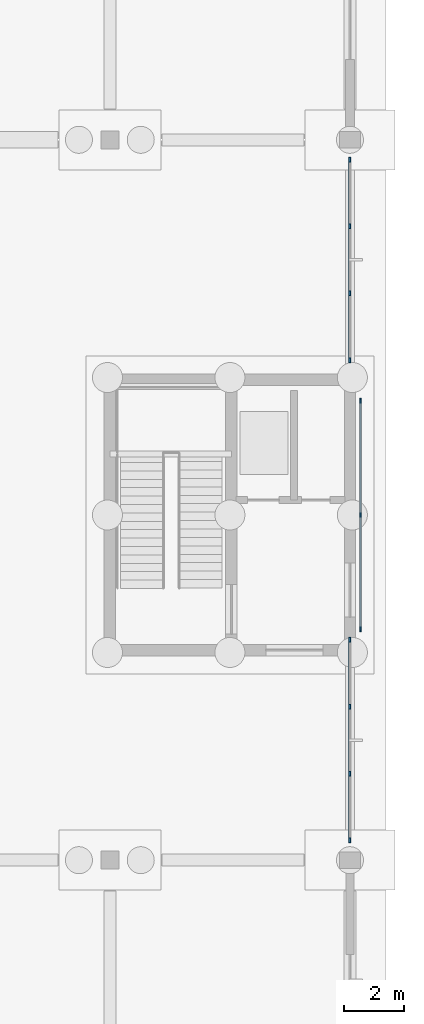
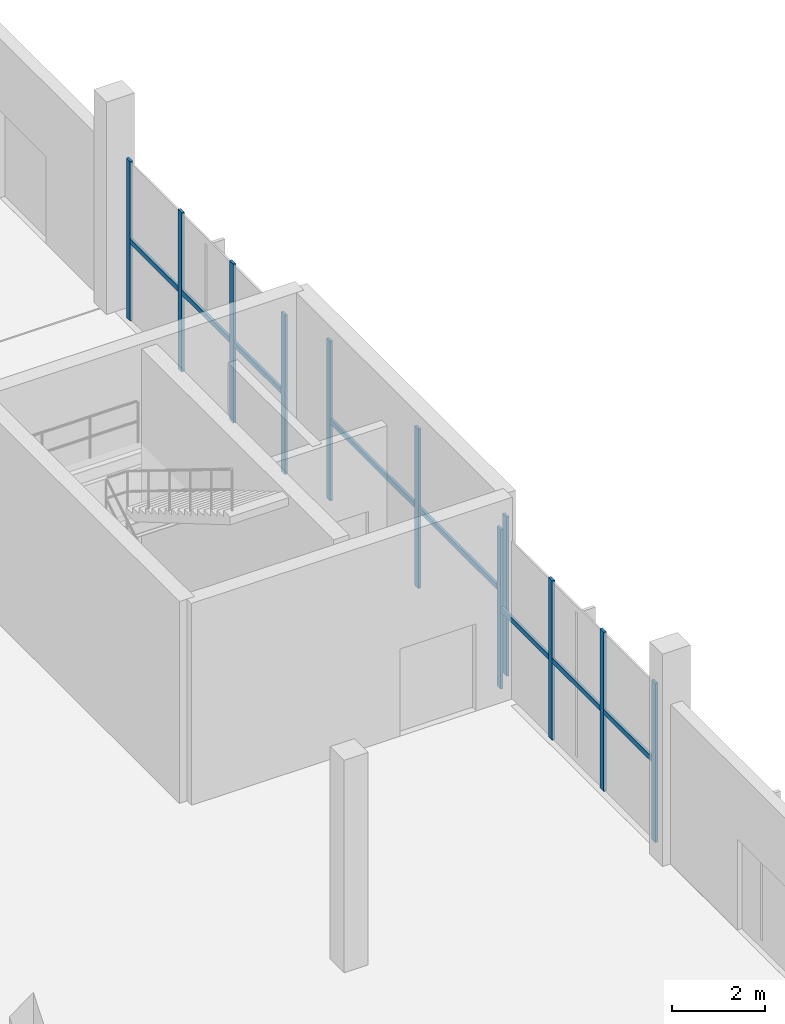
# One storey, part 52 of 98: 14 members, 3 elements without a shape of their own.
"""IFC4 building model written with IfcOpenShell, lengths in metres."""

from ifc_helpers import new_model, si_unit, derived_unit, direction, frame, origin, origin_2d, place, context, subcontext, project, spatial, rectangle, extrude, material, layer, layer_set, material_profile, profile_set, type_object, element, aggregate, save


model = new_model("IFC4")

# Units and contexts
model_context = context("Model", 3, precision=1e-05, world=origin(), true_north=direction((0.0, 1.0)))
body_context = subcontext(model_context, "Body", "Model", "MODEL_VIEW")
ifc_project = project(units=[si_unit("LENGTHUNIT", "METRE"), si_unit("AREAUNIT", "SQUARE_METRE"), si_unit("VOLUMEUNIT", "CUBIC_METRE"), si_unit("PLANEANGLEUNIT", "RADIAN"), si_unit("MASSUNIT", "GRAM", prefix="KILO"), si_unit("THERMODYNAMICTEMPERATUREUNIT", "KELVIN"), derived_unit("THERMALTRANSMITTANCEUNIT", [(si_unit("POWERUNIT", "WATT"), 1), (si_unit("AREAUNIT", "SQUARE_METRE"), -1), (si_unit("THERMODYNAMICTEMPERATUREUNIT", "KELVIN"), -1)])], contexts=[model_context])

# Site, building, storey
site_placement = place(None, origin())
site = spatial("IfcSite", under=ifc_project, at=site_placement, CompositionType="ELEMENT")
building_placement = place(site_placement, origin())
building = spatial("IfcBuilding", under=site, at=building_placement, Name="Haiyu Intermodal Mobility Hub", CompositionType="ELEMENT")
storey_placement = place(building_placement, origin())
storey = spatial("IfcBuildingStorey", under=building, at=storey_placement, Name="L00", CompositionType="ELEMENT", Elevation=0.0)

# Curtain wall, members
ifc_material_1 = material(Name="Low-e laminated insulating glass", Category="glass")
ifc_layer = layer(ifc_material_1, 0.2099609375)
ifc_layer_set = layer_set([ifc_layer], Name="Low-e laminated insulating glass")
curtain_wall_type = type_object("IfcCurtainWallType", Name="CW-CW04", PredefinedType="NOTDEFINED", material=ifc_layer_set)
curtain_wall_1_placement = place(storey_placement, origin())
curtain_wall_1 = element("IfcCurtainWall", 1, at=curtain_wall_1_placement, inside=storey, type_object=curtain_wall_type, Name="Curtain Wall CW-V5E-L00-091", PredefinedType="NOTDEFINED")
ifc_material_2 = material(Name="Anodised aluminium 6063-T6", Category="aluminium")
ifc_material_profile_1 = material_profile(ifc_material_2, rectangle(XDim=0.06494140625, YDim=0.1650390625, at=origin_2d()), Name="ALU65x165")
ifc_profile_set_1 = profile_set([ifc_material_profile_1], Name="Anodised aluminium 6063-T6")
member_type_1 = type_object("IfcMemberType", Name="CWM-ML02", PredefinedType="MULLION", material=ifc_profile_set_1)
member_1_placement = place(storey_placement, frame((210.0, 56.659912109375, 0.0), z_axis=(0.0, 0.0, 1.0), x_axis=(1.0, 0.0, 0.0)))
member_1 = element("IfcMember", 2, at=member_1_placement, type_object=member_type_1, Name="CW-V5E-L00-091-ML01", PredefinedType="MULLION", context=body_context, shape_type="SweptSolid", body=[
    extrude(rectangle(XDim=0.06494140625, YDim=0.1650390625, at=origin_2d()), origin(), (0.0, 0.0, 1.0), 4.199951171875),
])
member_2_placement = place(storey_placement, frame((210.0, 58.886962890625, 0.0), z_axis=(0.0, 0.0, 1.0), x_axis=(1.0, 0.0, 0.0)))
member_2 = element("IfcMember", 3, at=member_2_placement, type_object=member_type_1, Name="CW-V5E-L00-091-ML02", PredefinedType="MULLION", context=body_context, shape_type="SweptSolid", body=[
    extrude(rectangle(XDim=0.06494140625, YDim=0.1650390625, at=origin_2d()), origin(), (0.0, 0.0, 1.0), 4.199951171875),
])
member_3_placement = place(storey_placement, frame((210.0, 61.113037109375, 0.0), z_axis=(0.0, 0.0, 1.0), x_axis=(1.0, 0.0, 0.0)))
member_3 = element("IfcMember", 4, at=member_3_placement, type_object=member_type_1, Name="CW-V5E-L00-091-ML03", PredefinedType="MULLION", context=body_context, shape_type="SweptSolid", body=[
    extrude(rectangle(XDim=0.06494140625, YDim=0.1650390625, at=origin_2d()), origin(), (0.0, 0.0, 1.0), 4.199951171875),
])
member_4_placement = place(storey_placement, frame((210.0, 63.340087890625, 0.0), z_axis=(0.0, 0.0, 1.0), x_axis=(1.0, 0.0, 0.0)))
member_4 = element("IfcMember", 5, at=member_4_placement, type_object=member_type_1, Name="CW-V5E-L00-091-ML04", PredefinedType="MULLION", context=body_context, shape_type="SweptSolid", body=[
    extrude(rectangle(XDim=0.06494140625, YDim=0.1650390625, at=origin_2d()), origin(), (0.0, 0.0, 1.0), 4.199951171875),
])

curtain_wall_2_placement = place(storey_placement, origin())
curtain_wall_2 = element("IfcCurtainWall", 6, at=curtain_wall_2_placement, inside=storey, type_object=curtain_wall_type, Name="Curtain Wall CW-V5E-L00-092", PredefinedType="NOTDEFINED")
member_5_placement = place(storey_placement, frame((210.0, 72.659912109375, 0.0), z_axis=(0.0, 0.0, 1.0), x_axis=(1.0, 0.0, 0.0)))
member_5 = element("IfcMember", 7, at=member_5_placement, type_object=member_type_1, Name="CW-V5E-L00-092-ML01", PredefinedType="MULLION", context=body_context, shape_type="SweptSolid", body=[
    extrude(rectangle(XDim=0.06494140625, YDim=0.1650390625, at=origin_2d()), origin(), (0.0, 0.0, 1.0), 4.199951171875),
])
member_6_placement = place(storey_placement, frame((210.0, 74.886962890625, 0.0), z_axis=(0.0, 0.0, 1.0), x_axis=(1.0, 0.0, 0.0)))
member_6 = element("IfcMember", 8, at=member_6_placement, type_object=member_type_1, Name="CW-V5E-L00-092-ML02", PredefinedType="MULLION", context=body_context, shape_type="SweptSolid", body=[
    extrude(rectangle(XDim=0.06494140625, YDim=0.1650390625, at=origin_2d()), origin(), (0.0, 0.0, 1.0), 4.199951171875),
])
member_7_placement = place(storey_placement, frame((210.0, 77.113037109375, 0.0), z_axis=(0.0, 0.0, 1.0), x_axis=(1.0, 0.0, 0.0)))
member_7 = element("IfcMember", 9, at=member_7_placement, type_object=member_type_1, Name="CW-V5E-L00-092-ML03", PredefinedType="MULLION", context=body_context, shape_type="SweptSolid", body=[
    extrude(rectangle(XDim=0.06494140625, YDim=0.1650390625, at=origin_2d()), origin(), (0.0, 0.0, 1.0), 4.199951171875),
])
member_8_placement = place(storey_placement, frame((210.0, 79.340087890625, 0.0), z_axis=(0.0, 0.0, 1.0), x_axis=(1.0, 0.0, 0.0)))
member_8 = element("IfcMember", 10, at=member_8_placement, type_object=member_type_1, Name="CW-V5E-L00-092-ML04", PredefinedType="MULLION", context=body_context, shape_type="SweptSolid", body=[
    extrude(rectangle(XDim=0.06494140625, YDim=0.1650390625, at=origin_2d()), origin(), (0.0, 0.0, 1.0), 4.199951171875),
])

curtain_wall_3_placement = place(storey_placement, origin())
curtain_wall_3 = element("IfcCurtainWall", 11, at=curtain_wall_3_placement, inside=storey, type_object=curtain_wall_type, Name="Curtain Wall CW-ECORE-L00-182", PredefinedType="NOTDEFINED")
member_9_placement = place(storey_placement, frame((210.35009765625, 63.68994140625, 0.0), z_axis=(0.0, 0.0, 1.0), x_axis=(1.0, 0.0, 0.0)))
member_9 = element("IfcMember", 12, at=member_9_placement, type_object=member_type_1, Name="CW-ECORE-L00-182-ML01", PredefinedType="MULLION", context=body_context, shape_type="SweptSolid", body=[
    extrude(rectangle(XDim=0.06494140625, YDim=0.1650390625, at=origin_2d()), origin(), (0.0, 0.0, 1.0), 4.199951171875),
])
member_10_placement = place(storey_placement, frame((210.35009765625, 67.5, 0.0), z_axis=(0.0, 0.0, 1.0), x_axis=(1.0, 0.0, 0.0)))
member_10 = element("IfcMember", 13, at=member_10_placement, type_object=member_type_1, Name="CW-ECORE-L00-182-ML02", PredefinedType="MULLION", context=body_context, shape_type="SweptSolid", body=[
    extrude(rectangle(XDim=0.06494140625, YDim=0.1650390625, at=origin_2d()), origin(), (0.0, 0.0, 1.0), 4.199951171875),
])
member_11_placement = place(storey_placement, frame((210.35009765625, 71.31005859375, 0.0), z_axis=(0.0, 0.0, 1.0), x_axis=(1.0, 0.0, 0.0)))
member_11 = element("IfcMember", 14, at=member_11_placement, type_object=member_type_1, Name="CW-ECORE-L00-182-ML03", PredefinedType="MULLION", context=body_context, shape_type="SweptSolid", body=[
    extrude(rectangle(XDim=0.06494140625, YDim=0.1650390625, at=origin_2d()), origin(), (0.0, 0.0, 1.0), 4.199951171875),
])

# Member
ifc_material_profile_2 = material_profile(ifc_material_2, rectangle(XDim=0.06494140625, YDim=0.135009765625, at=origin_2d()), Name="ALU65x135")
ifc_profile_set_2 = profile_set([ifc_material_profile_2], Name="Anodised aluminium 6063-T6")
member_type_2 = type_object("IfcMemberType", Name="CWM-TR02", PredefinedType="USERDEFINED", material=ifc_profile_set_2)
member_12_placement = place(storey_placement, frame((210.0, 56.6201171875, 2.10009765625), z_axis=(0.0, 1.0, 0.0), x_axis=(-1.0, 0.0, 0.0)))
member_12 = element("IfcMember", 15, at=member_12_placement, type_object=member_type_2, Name="CW-V5E-L00-091-TR01", ObjectType="TRANSOM", PredefinedType="USERDEFINED", context=body_context, shape_type="SweptSolid", body=[
    extrude(rectangle(XDim=0.06494140625, YDim=0.135009765625, at=origin_2d()), origin(), (0.0, 0.0, 1.0), 6.759765625),
])

aggregate(curtain_wall_1, [member_1, member_2, member_3, member_4, member_12])

member_13_placement = place(storey_placement, frame((210.0, 72.6201171875, 2.10009765625), z_axis=(0.0, 1.0, 0.0), x_axis=(-1.0, 0.0, 0.0)))
member_13 = element("IfcMember", 16, at=member_13_placement, type_object=member_type_2, Name="CW-V5E-L00-092-TR01", ObjectType="TRANSOM", PredefinedType="USERDEFINED", context=body_context, shape_type="SweptSolid", body=[
    extrude(rectangle(XDim=0.06494140625, YDim=0.135009765625, at=origin_2d()), origin(), (0.0, 0.0, 1.0), 6.759765625),
])

aggregate(curtain_wall_2, [member_5, member_6, member_7, member_8, member_13])

member_14_placement = place(storey_placement, frame((210.35009765625, 63.64990234375, 2.10009765625), z_axis=(0.0, 1.0, 0.0), x_axis=(-1.0, 0.0, 0.0)))
member_14 = element("IfcMember", 17, at=member_14_placement, type_object=member_type_2, Name="CW-ECORE-L00-182-TR01", ObjectType="TRANSOM", PredefinedType="USERDEFINED", context=body_context, shape_type="SweptSolid", body=[
    extrude(rectangle(XDim=0.06494140625, YDim=0.135009765625, at=origin_2d()), origin(), (0.0, 0.0, 1.0), 7.7001953125),
])

aggregate(curtain_wall_3, [member_9, member_10, member_11, member_14])

save(model, "model.ifc")
